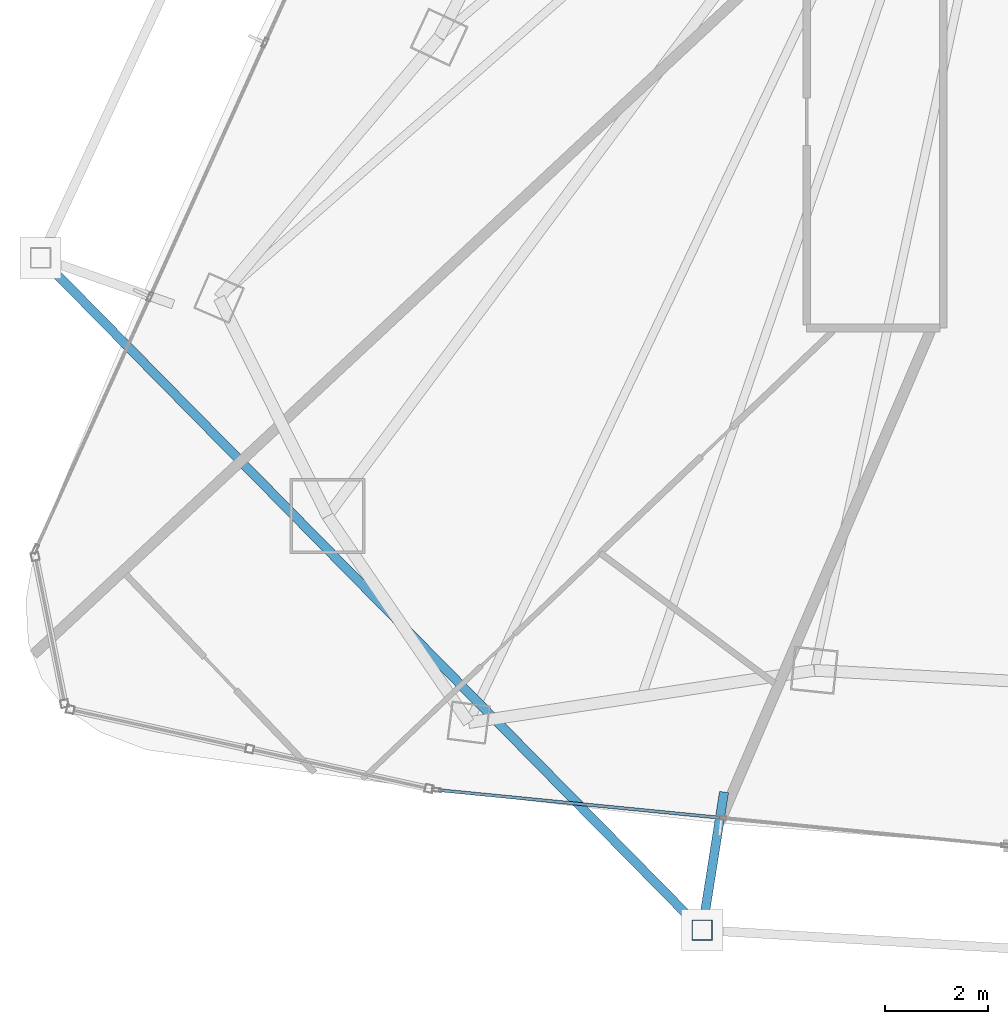
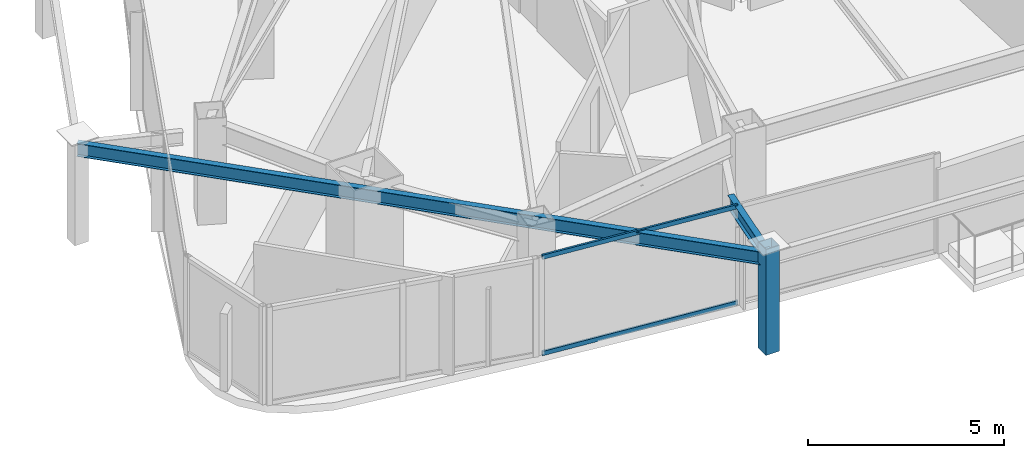
# One storey, part 3 of 29: 3 members, 2 beams, 1 element without a shape of its own.
"""IFC4 building model written with IfcOpenShell, lengths in metres."""

from ifc_helpers import new_model, si_unit, direction, frame, origin, origin_2d, place, context, subcontext, project, spatial, hollow_rectangle, i_section, extrude, material, layer, layer_set, material_profile, profile_set, type_object, element, aggregate, save


model = new_model("IFC4")

# Units and contexts
model_context = context("Model", 3, precision=1e-05, world=origin(), true_north=direction((0.0, 1.0)))
body_context = subcontext(model_context, "Body", "Model", "MODEL_VIEW")
ifc_project = project(units=[si_unit("LENGTHUNIT", "METRE"), si_unit("AREAUNIT", "SQUARE_METRE"), si_unit("VOLUMEUNIT", "CUBIC_METRE"), si_unit("PLANEANGLEUNIT", "RADIAN"), si_unit("MASSUNIT", "GRAM", prefix="KILO")], contexts=[model_context])

# Site, building, storey
site_placement = place(None, origin())
site = spatial("IfcSite", under=ifc_project, at=site_placement, CompositionType="ELEMENT")
building_placement = place(site_placement, origin())
building = spatial("IfcBuilding", under=site, at=building_placement, Name="Orvanel Arch Residences", CompositionType="ELEMENT")
storey_placement = place(building_placement, frame((0.0, 0.0, 177.050048828125)))
storey = spatial("IfcBuildingStorey", under=building, at=storey_placement, Name="L50", CompositionType="ELEMENT", Elevation=177.050048828125)

# Beams
ifc_material_1 = material(Name="Structural steel AS/NZS 3679.1 Grade 300 (300 MPa)", Category="steel")
ifc_material_profile_1 = material_profile(ifc_material_1, i_section(OverallWidth=0.177978515625, OverallDepth=0.406005859375, WebThickness=0.0078125, FlangeThickness=0.0126953125, at=origin_2d()), Name="410UB59.7")
ifc_profile_set_1 = profile_set([ifc_material_profile_1], Name="Structural steel AS/NZS 3679.1 Grade 300 (300 MPa)")
beam_type = type_object("IfcBeamType", Name="OB-410UB-EXT", PredefinedType="SPANDREL", material=ifc_profile_set_1)
beam_1_placement = place(storey_placement, frame((8.632080078125, 15.35888671875, 2.85693359375), z_axis=(0.701456301803, -0.712712464224, 0.0), x_axis=(0.712712464224, 0.701456301803, 0.0)))
element("IfcBeam", 1, at=beam_1_placement, inside=storey, type_object=beam_type, Name="L50 Outer Perimeter Floor Ring Beam 04", PredefinedType="SPANDREL", context=body_context, shape_type="SweptSolid", body=[
    extrude(i_section(OverallWidth=0.177978515625, OverallDepth=0.406005859375, WebThickness=0.0078125, FlangeThickness=0.0126953125, at=origin_2d()), origin(), (0.0, 0.0, 1.0), 18.305908203125),
])
beam_2_placement = place(storey_placement, frame((21.89697265625, 4.991943359375, 2.85693359375), z_axis=(-0.156295247411, -0.987710380444, 0.0), x_axis=(0.987710380444, -0.156295247411, 0.0)))
element("IfcBeam", 2, at=beam_2_placement, inside=storey, type_object=beam_type, Name="L50 Outer Frame Radial Tie Beam 05", PredefinedType="SPANDREL", context=body_context, shape_type="SweptSolid", body=[
    extrude(i_section(OverallWidth=0.177978515625, OverallDepth=0.406005859375, WebThickness=0.0078125, FlangeThickness=0.0126953125, at=origin_2d()), origin(), (0.0, 0.0, 1.0), 2.71337890625),
])

# Member
ifc_material_2 = material(Name="Structural steel AS/NZS 1163 C450L0 (Grade 450)", Category="steel")
ifc_material_profile_2 = material_profile(ifc_material_2, hollow_rectangle(XDim=0.39990234375, YDim=0.39990234375, WallThickness=0.01611328125, at=origin_2d()), Name="SHS400x400x16")
ifc_profile_set_2 = profile_set([ifc_material_profile_2], Name="Structural steel AS/NZS 1163 C450L0 (Grade 450)")
member_type_1 = type_object("IfcMemberType", Name="ST-400SHS-EXT", PredefinedType="STRUT", material=ifc_profile_set_2)
member_1_placement = place(storey_placement, frame((21.472900390625, 2.31201171875, 0.0), z_axis=(0.0, 0.0, 1.0), x_axis=(1.0, 0.0, 0.0)))
element("IfcMember", 3, at=member_1_placement, inside=storey, type_object=member_type_1, Name="L50 Outer Perimeter Frame Post 05", PredefinedType="STRUT", context=body_context, shape_type="SweptSolid", body=[
    extrude(hollow_rectangle(XDim=0.39990234375, YDim=0.39990234375, WallThickness=0.01611328125, at=origin_2d()), origin(), (0.0, 0.0, 1.0), 3.300048828125),
])

# Curtain wall, members
ifc_material_3 = material(Name="Bronze-anodised aluminium AA6063-T6", Category="aluminium")
ifc_layer = layer(ifc_material_3, 0.179931640625)
ifc_layer_set = layer_set([ifc_layer], Name="Bronze-anodised aluminium AA6063-T6")
curtain_wall_type = type_object("IfcCurtainWallType", Name="CW3-MID-SYS", PredefinedType="NOTDEFINED", material=ifc_layer_set)
curtain_wall_placement = place(storey_placement, origin())
curtain_wall = element("IfcCurtainWall", 4, at=curtain_wall_placement, inside=storey, type_object=curtain_wall_type, Name="L50 CW3-MID-SYS Unitised Curtain Wall", PredefinedType="NOTDEFINED")
ifc_material_profile_3 = material_profile(ifc_material_3, hollow_rectangle(XDim=0.06005859375, YDim=0.135009765625, WallThickness=0.00390625, at=origin_2d()), Name="ALU135x60x4")
ifc_profile_set_3 = profile_set([ifc_material_profile_3], Name="Bronze-anodised aluminium AA6063-T6")
member_type_2 = type_object("IfcMemberType", Name="TRN-135x60", PredefinedType="USERDEFINED", material=ifc_profile_set_3)
member_2_placement = place(storey_placement, frame((16.354736328125, 5.029296875, 0.030029296875), z_axis=(0.995233274278, -0.097522970473, 0.0), x_axis=(0.097522970473, 0.995233274278, 0.0)))
member_2 = element("IfcMember", 5, at=member_2_placement, type_object=member_type_2, Name="CW-S3 transom 1.1", ObjectType="TRANSOM", PredefinedType="USERDEFINED", context=body_context, shape_type="SweptSolid", body=[
    extrude(hollow_rectangle(XDim=0.06005859375, YDim=0.135009765625, WallThickness=0.00390625, at=origin_2d()), origin(), (0.0, 0.0, 1.0), 5.47998046875),
])
member_3_placement = place(storey_placement, frame((16.354736328125, 5.029296875, 3.030029296875), z_axis=(0.995233274278, -0.097522970473, 0.0), x_axis=(0.097522970473, 0.995233274278, 0.0)))
member_3 = element("IfcMember", 6, at=member_3_placement, type_object=member_type_2, Name="CW-S3 transom 1.2", ObjectType="TRANSOM", PredefinedType="USERDEFINED", context=body_context, shape_type="SweptSolid", body=[
    extrude(hollow_rectangle(XDim=0.06005859375, YDim=0.135009765625, WallThickness=0.00390625, at=origin_2d()), origin(), (0.0, 0.0, 1.0), 5.47998046875),
])
aggregate(curtain_wall, [member_2, member_3])

save(model, "model.ifc")
